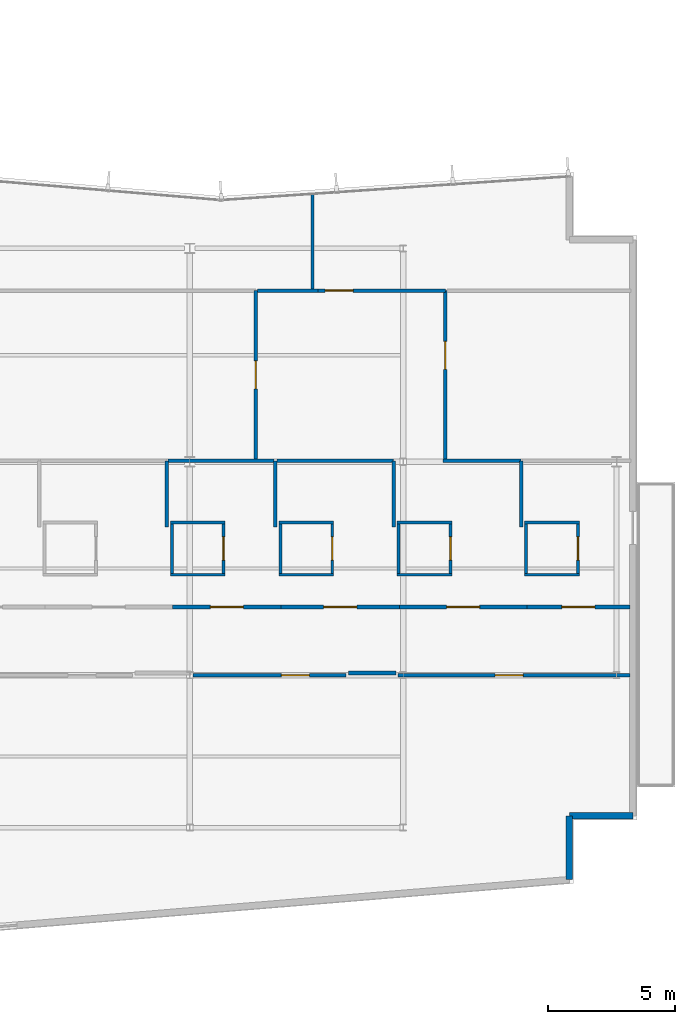
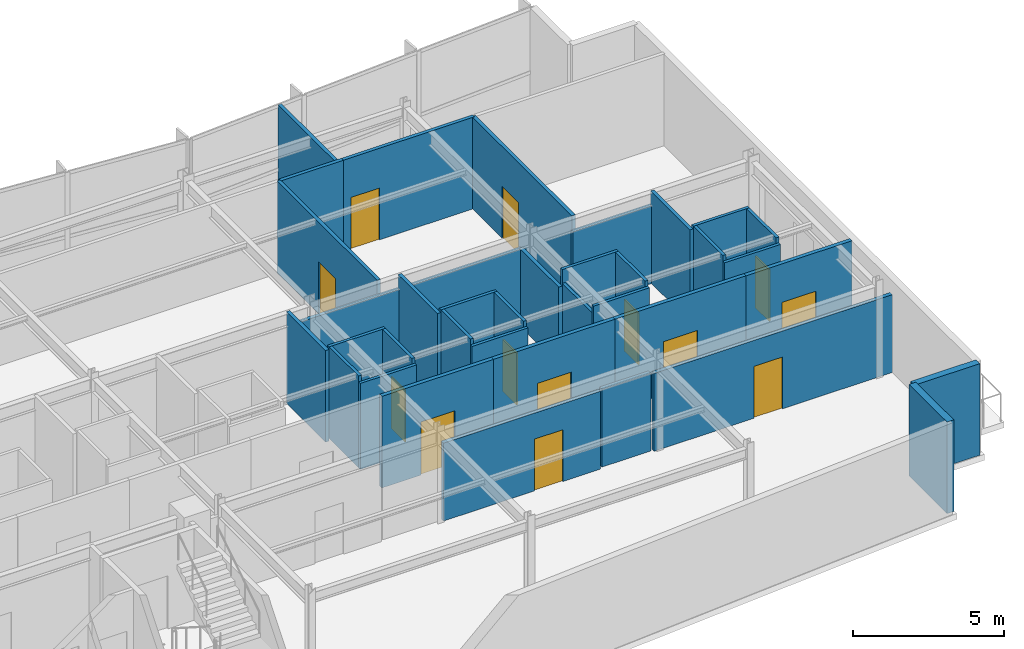
# One storey, part 11 of 15: 37 walls, 13 doors, 13 openings.
"""IFC4 building model written with IfcOpenShell, lengths in metres."""

from ifc_helpers import new_model, si_unit, direction, frame, frame_2d, origin, place, context, subcontext, project, spatial, rectangle, extrude, material, layer, layer_set, type_object, element, fill, save


model = new_model("IFC4")

# Units and contexts
model_context = context("Model", 3, precision=1e-05, world=origin(), true_north=direction((0.0, 1.0)))
body_context = subcontext(model_context, "Body", "Model", "MODEL_VIEW")
ifc_project = project(units=[si_unit("LENGTHUNIT", "METRE"), si_unit("AREAUNIT", "SQUARE_METRE"), si_unit("VOLUMEUNIT", "CUBIC_METRE"), si_unit("PLANEANGLEUNIT", "RADIAN"), si_unit("MASSUNIT", "GRAM", prefix="KILO")], contexts=[model_context])

# Site, building, storey
site_placement = place(None, origin())
site = spatial("IfcSite", under=ifc_project, at=site_placement, CompositionType="ELEMENT")
building_placement = place(site_placement, origin())
building = spatial("IfcBuilding", under=site, at=building_placement, Name="Varnakote Quay Hospital", CompositionType="ELEMENT")
storey_placement = place(building_placement, frame((0.0, 0.0, 196.050048828125)))
storey = spatial("IfcBuildingStorey", under=building, at=storey_placement, Name="L48", CompositionType="ELEMENT", Elevation=196.050048828125)

# Walls
ifc_material_1 = material(Name="Fire-rated acoustic gypsum stud wall", Category="gypsum")
ifc_layer_1 = layer(ifc_material_1, 0.159912109375)
ifc_layer_set_1 = layer_set([ifc_layer_1], Name="Fire-rated acoustic gypsum stud wall")
wall_type_1 = type_object("IfcWallType", Name="WL-COMP-160", PredefinedType="PARTITIONING", material=ifc_layer_set_1)
wall_1_placement = place(storey_placement, frame((39.83935546875, 12.080078125, 0.0), z_axis=(0.0, 0.0, 1.0), x_axis=(1.0, 0.0, 0.0)))
element("IfcWall", 1, at=wall_1_placement, inside=storey, type_object=wall_type_1, Name="L48 Corridor South Gap Wall", PredefinedType="PARTITIONING", context=body_context, shape_type="SweptSolid", body=[
    extrude(rectangle(XDim=1.871337890625, YDim=0.159912109375, at=frame_2d((0.935546875, 0.0))), origin(), (0.0, 0.0, 1.0), 3.15185546875),
])
ifc_material_2 = material(Name="Moisture-resistant bathroom partition", Category="gypsum")
ifc_layer_2 = layer(ifc_material_2, 0.114990234375)
ifc_layer_set_2 = layer_set([ifc_layer_2], Name="Moisture-resistant bathroom partition")
wall_type_2 = type_object("IfcWallType", Name="WL-ENS-115", PredefinedType="PARTITIONING", material=ifc_layer_set_2)
wall_2_placement = place(storey_placement, frame((32.8349609375, 15.952392578125, 0.0), z_axis=(0.0, 0.0, 1.0), x_axis=(1.0, 0.0, 0.0)))
element("IfcWall", 2, at=wall_2_placement, inside=storey, type_object=wall_type_2, Name="L48 Inpatient En-Suite Bathroom 05 S Wall", PredefinedType="PARTITIONING", context=body_context, shape_type="SweptSolid", body=[
    extrude(rectangle(XDim=2.150146484375, YDim=0.114990234375, at=frame_2d((1.0751953125, 0.0))), origin(), (0.0, 0.0, 1.0), 3.47802734375),
])
wall_3_placement = place(storey_placement, frame((32.8349609375, 18.017578125, 0.0), z_axis=(0.0, 0.0, 1.0), x_axis=(1.0, 0.0, 0.0)))
element("IfcWall", 3, at=wall_3_placement, inside=storey, type_object=wall_type_2, Name="L48 Inpatient En-Suite Bathroom 05 N Wall", PredefinedType="PARTITIONING", context=body_context, shape_type="SweptSolid", body=[
    extrude(rectangle(XDim=2.150146484375, YDim=0.114990234375, at=frame_2d((1.0751953125, 0.0))), origin(), (0.0, 0.0, 1.0), 3.7099609375),
])
wall_4_placement = place(storey_placement, frame((32.892578125, 16.010009765625, 0.0), z_axis=(0.0, 0.0, 1.0), x_axis=(0.0, 1.0, 0.0)))
element("IfcWall", 4, at=wall_4_placement, inside=storey, type_object=wall_type_2, Name="L48 Inpatient En-Suite Bathroom 05 W Wall", PredefinedType="PARTITIONING", context=body_context, shape_type="SweptSolid", body=[
    extrude(rectangle(XDim=1.949951171875, YDim=0.114990234375, at=frame_2d((0.97509765625, 0.0))), origin(), (0.0, 0.0, 1.0), 3.7099609375),
])

# Wall, opening, door
wall_5_placement = place(storey_placement, frame((34.927490234375, 16.010009765625, 0.0), z_axis=(0.0, 0.0, 1.0), x_axis=(0.0, 1.0, 0.0)))
wall_5 = element("IfcWall", 5, at=wall_5_placement, inside=storey, type_object=wall_type_2, Name="L48 Inpatient En-Suite Bathroom 05 E Wall", PredefinedType="PARTITIONING", context=body_context, shape_type="SweptSolid", body=[
    extrude(rectangle(XDim=1.949951171875, YDim=0.114990234375, at=frame_2d((0.97509765625, 0.0))), origin(), (0.0, 0.0, 1.0), 3.7099609375),
])
opening_1_placement = place(wall_5_placement, frame((0.514892578125, 0.0, 0.0)))
opening_1 = element("IfcOpeningElement", 6, at=opening_1_placement, cuts=wall_5, Name="Opening D-L48-ENS05", PredefinedType="OPENING", context=body_context, shape_type="SweptSolid", body=[
    extrude(rectangle(XDim=0.919921875, YDim=2.10009765625, at=frame_2d((0.4599609375, 1.050048828125))), frame((0.0, 0.0673828125, 0.0), z_axis=(0.0, -1.0, 0.0), x_axis=(1.0, 0.0, 0.0)), (0.0, 0.0, 1.0), 0.135009765625),
])
ifc_material_3 = material(Name="Moisture-sealed en-suite bathroom door")
door_type_1 = type_object("IfcDoorType", Name="DR-ENS-920x2100", OperationType="NOTDEFINED", PredefinedType="DOOR", material=ifc_material_3)
door_1_placement = place(opening_1_placement, origin())
door_1 = element("IfcDoor", 7, at=door_1_placement, inside=storey, type_object=door_type_1, Name="L48 Inpatient En-Suite Bathroom 05 Door", OperationType="SINGLE_SWING_RIGHT", OverallHeight=2.10009765625, OverallWidth=0.919921875, PredefinedType="DOOR", context=body_context, shape_type="SweptSolid", body=[
    extrude(rectangle(XDim=0.919921875, YDim=2.10009765625, at=frame_2d((0.4599609375, 1.050048828125))), frame((0.0, 0.02490234375, 0.0), z_axis=(0.0, -1.0, 0.0), x_axis=(1.0, 0.0, 0.0)), (0.0, 0.0, 1.0), 0.050048828125),
])
fill(opening_1, door_1)

# Walls
wall_6_placement = place(storey_placement, frame((37.114990234375, 15.952392578125, 0.0), z_axis=(0.0, 0.0, 1.0), x_axis=(1.0, 0.0, 0.0)))
element("IfcWall", 8, at=wall_6_placement, inside=storey, type_object=wall_type_2, Name="L48 Inpatient En-Suite Bathroom 06 S Wall", PredefinedType="PARTITIONING", context=body_context, shape_type="SweptSolid", body=[
    extrude(rectangle(XDim=2.14990234375, YDim=0.114990234375, at=frame_2d((1.074951171875, 0.0))), origin(), (0.0, 0.0, 1.0), 3.47802734375),
])
wall_7_placement = place(storey_placement, frame((37.114990234375, 18.017578125, 0.0), z_axis=(0.0, 0.0, 1.0), x_axis=(1.0, 0.0, 0.0)))
element("IfcWall", 9, at=wall_7_placement, inside=storey, type_object=wall_type_2, Name="L48 Inpatient En-Suite Bathroom 06 N Wall", PredefinedType="PARTITIONING", context=body_context, shape_type="SweptSolid", body=[
    extrude(rectangle(XDim=2.14990234375, YDim=0.114990234375, at=frame_2d((1.074951171875, 0.0))), origin(), (0.0, 0.0, 1.0), 3.7099609375),
])
wall_8_placement = place(storey_placement, frame((37.172607421875, 16.010009765625, 0.0), z_axis=(0.0, 0.0, 1.0), x_axis=(0.0, 1.0, 0.0)))
element("IfcWall", 10, at=wall_8_placement, inside=storey, type_object=wall_type_2, Name="L48 Inpatient En-Suite Bathroom 06 W Wall", PredefinedType="PARTITIONING", context=body_context, shape_type="SweptSolid", body=[
    extrude(rectangle(XDim=1.949951171875, YDim=0.114990234375, at=frame_2d((0.97509765625, 0.0))), origin(), (0.0, 0.0, 1.0), 3.7099609375),
])

# Wall, opening, door
wall_9_placement = place(storey_placement, frame((39.20751953125, 16.010009765625, 0.0), z_axis=(0.0, 0.0, 1.0), x_axis=(0.0, 1.0, 0.0)))
wall_9 = element("IfcWall", 11, at=wall_9_placement, inside=storey, type_object=wall_type_2, Name="L48 Inpatient En-Suite Bathroom 06 E Wall", PredefinedType="PARTITIONING", context=body_context, shape_type="SweptSolid", body=[
    extrude(rectangle(XDim=1.949951171875, YDim=0.114990234375, at=frame_2d((0.97509765625, 0.0))), origin(), (0.0, 0.0, 1.0), 3.7099609375),
])
opening_2_placement = place(wall_9_placement, frame((0.514892578125, 0.0, 0.0)))
opening_2 = element("IfcOpeningElement", 12, at=opening_2_placement, cuts=wall_9, Name="Opening D-L48-ENS06", PredefinedType="OPENING", context=body_context, shape_type="SweptSolid", body=[
    extrude(rectangle(XDim=0.919921875, YDim=2.10009765625, at=frame_2d((0.4599609375, 1.050048828125))), frame((0.0, 0.0673828125, 0.0), z_axis=(0.0, -1.0, 0.0), x_axis=(1.0, 0.0, 0.0)), (0.0, 0.0, 1.0), 0.135009765625),
])
door_2_placement = place(opening_2_placement, origin())
door_2 = element("IfcDoor", 13, at=door_2_placement, inside=storey, type_object=door_type_1, Name="L48 Inpatient En-Suite Bathroom 06 Door", OperationType="SINGLE_SWING_LEFT", OverallHeight=2.10009765625, OverallWidth=0.919921875, PredefinedType="DOOR", context=body_context, shape_type="SweptSolid", body=[
    extrude(rectangle(XDim=0.919921875, YDim=2.10009765625, at=frame_2d((0.4599609375, 1.050048828125))), frame((0.0, 0.02490234375, 0.0), z_axis=(0.0, -1.0, 0.0), x_axis=(1.0, 0.0, 0.0)), (0.0, 0.0, 1.0), 0.050048828125),
])
fill(opening_2, door_2)

# Walls
wall_10_placement = place(storey_placement, frame((41.764892578125, 15.952392578125, 0.0), z_axis=(0.0, 0.0, 1.0), x_axis=(1.0, 0.0, 0.0)))
element("IfcWall", 14, at=wall_10_placement, inside=storey, type_object=wall_type_2, Name="L48 Inpatient En-Suite Bathroom 07 S Wall", PredefinedType="PARTITIONING", context=body_context, shape_type="SweptSolid", body=[
    extrude(rectangle(XDim=2.150146484375, YDim=0.114990234375, at=frame_2d((1.0751953125, 0.0))), origin(), (0.0, 0.0, 1.0), 3.47802734375),
])
wall_11_placement = place(storey_placement, frame((41.764892578125, 18.017578125, 0.0), z_axis=(0.0, 0.0, 1.0), x_axis=(1.0, 0.0, 0.0)))
element("IfcWall", 15, at=wall_11_placement, inside=storey, type_object=wall_type_2, Name="L48 Inpatient En-Suite Bathroom 07 N Wall", PredefinedType="PARTITIONING", context=body_context, shape_type="SweptSolid", body=[
    extrude(rectangle(XDim=2.150146484375, YDim=0.114990234375, at=frame_2d((1.0751953125, 0.0))), origin(), (0.0, 0.0, 1.0), 3.7099609375),
])
wall_12_placement = place(storey_placement, frame((41.822509765625, 16.010009765625, 0.0), z_axis=(0.0, 0.0, 1.0), x_axis=(0.0, 1.0, 0.0)))
element("IfcWall", 16, at=wall_12_placement, inside=storey, type_object=wall_type_2, Name="L48 Inpatient En-Suite Bathroom 07 W Wall", PredefinedType="PARTITIONING", context=body_context, shape_type="SweptSolid", body=[
    extrude(rectangle(XDim=1.949951171875, YDim=0.114990234375, at=frame_2d((0.97509765625, 0.0))), origin(), (0.0, 0.0, 1.0), 3.15185546875),
])

# Wall, opening, door
wall_13_placement = place(storey_placement, frame((43.857421875, 16.010009765625, 0.0), z_axis=(0.0, 0.0, 1.0), x_axis=(0.0, 1.0, 0.0)))
wall_13 = element("IfcWall", 17, at=wall_13_placement, inside=storey, type_object=wall_type_2, Name="L48 Inpatient En-Suite Bathroom 07 E Wall", PredefinedType="PARTITIONING", context=body_context, shape_type="SweptSolid", body=[
    extrude(rectangle(XDim=1.949951171875, YDim=0.114990234375, at=frame_2d((0.97509765625, 0.0))), origin(), (0.0, 0.0, 1.0), 3.7099609375),
])
opening_3_placement = place(wall_13_placement, frame((0.514892578125, 0.0, 0.0)))
opening_3 = element("IfcOpeningElement", 18, at=opening_3_placement, cuts=wall_13, Name="Opening D-L48-ENS07", PredefinedType="OPENING", context=body_context, shape_type="SweptSolid", body=[
    extrude(rectangle(XDim=0.919921875, YDim=2.10009765625, at=frame_2d((0.4599609375, 1.050048828125))), frame((0.0, 0.0673828125, 0.0), z_axis=(0.0, -1.0, 0.0), x_axis=(1.0, 0.0, 0.0)), (0.0, 0.0, 1.0), 0.135009765625),
])
door_3_placement = place(opening_3_placement, origin())
door_3 = element("IfcDoor", 19, at=door_3_placement, inside=storey, type_object=door_type_1, Name="L48 Inpatient En-Suite Bathroom 07 Door", OperationType="SINGLE_SWING_RIGHT", OverallHeight=2.10009765625, OverallWidth=0.919921875, PredefinedType="DOOR", context=body_context, shape_type="SweptSolid", body=[
    extrude(rectangle(XDim=0.919921875, YDim=2.10009765625, at=frame_2d((0.4599609375, 1.050048828125))), frame((0.0, 0.02490234375, 0.0), z_axis=(0.0, -1.0, 0.0), x_axis=(1.0, 0.0, 0.0)), (0.0, 0.0, 1.0), 0.050048828125),
])
fill(opening_3, door_3)

# Walls
wall_14_placement = place(storey_placement, frame((46.784912109375, 15.952392578125, 0.0), z_axis=(0.0, 0.0, 1.0), x_axis=(1.0, 0.0, 0.0)))
element("IfcWall", 20, at=wall_14_placement, inside=storey, type_object=wall_type_2, Name="L48 Inpatient En-Suite Bathroom 08 S Wall", PredefinedType="PARTITIONING", context=body_context, shape_type="SweptSolid", body=[
    extrude(rectangle(XDim=2.150146484375, YDim=0.114990234375, at=frame_2d((1.0751953125, 0.0))), origin(), (0.0, 0.0, 1.0), 3.47802734375),
])
wall_15_placement = place(storey_placement, frame((46.784912109375, 18.017578125, 0.0), z_axis=(0.0, 0.0, 1.0), x_axis=(1.0, 0.0, 0.0)))
element("IfcWall", 21, at=wall_15_placement, inside=storey, type_object=wall_type_2, Name="L48 Inpatient En-Suite Bathroom 08 N Wall", PredefinedType="PARTITIONING", context=body_context, shape_type="SweptSolid", body=[
    extrude(rectangle(XDim=2.150146484375, YDim=0.114990234375, at=frame_2d((1.0751953125, 0.0))), origin(), (0.0, 0.0, 1.0), 3.7099609375),
])
wall_16_placement = place(storey_placement, frame((46.842529296875, 16.010009765625, 0.0), z_axis=(0.0, 0.0, 1.0), x_axis=(0.0, 1.0, 0.0)))
element("IfcWall", 22, at=wall_16_placement, inside=storey, type_object=wall_type_2, Name="L48 Inpatient En-Suite Bathroom 08 W Wall", PredefinedType="PARTITIONING", context=body_context, shape_type="SweptSolid", body=[
    extrude(rectangle(XDim=1.949951171875, YDim=0.114990234375, at=frame_2d((0.97509765625, 0.0))), origin(), (0.0, 0.0, 1.0), 3.7099609375),
])

# Wall, opening, door
wall_17_placement = place(storey_placement, frame((48.87744140625, 16.010009765625, 0.0), z_axis=(0.0, 0.0, 1.0), x_axis=(0.0, 1.0, 0.0)))
wall_17 = element("IfcWall", 23, at=wall_17_placement, inside=storey, type_object=wall_type_2, Name="L48 Inpatient En-Suite Bathroom 08 E Wall", PredefinedType="PARTITIONING", context=body_context, shape_type="SweptSolid", body=[
    extrude(rectangle(XDim=1.949951171875, YDim=0.114990234375, at=frame_2d((0.97509765625, 0.0))), origin(), (0.0, 0.0, 1.0), 3.7099609375),
])
opening_4_placement = place(wall_17_placement, frame((0.514892578125, 0.0, 0.0)))
opening_4 = element("IfcOpeningElement", 24, at=opening_4_placement, cuts=wall_17, Name="Opening D-L48-ENS08", PredefinedType="OPENING", context=body_context, shape_type="SweptSolid", body=[
    extrude(rectangle(XDim=0.919921875, YDim=2.10009765625, at=frame_2d((0.4599609375, 1.050048828125))), frame((0.0, 0.0673828125, 0.0), z_axis=(0.0, -1.0, 0.0), x_axis=(1.0, 0.0, 0.0)), (0.0, 0.0, 1.0), 0.135009765625),
])
door_4_placement = place(opening_4_placement, origin())
door_4 = element("IfcDoor", 25, at=door_4_placement, inside=storey, type_object=door_type_1, Name="L48 Inpatient En-Suite Bathroom 08 Door", OperationType="SINGLE_SWING_LEFT", OverallHeight=2.10009765625, OverallWidth=0.919921875, PredefinedType="DOOR", context=body_context, shape_type="SweptSolid", body=[
    extrude(rectangle(XDim=0.919921875, YDim=2.10009765625, at=frame_2d((0.4599609375, 1.050048828125))), frame((0.0, 0.02490234375, 0.0), z_axis=(0.0, -1.0, 0.0), x_axis=(1.0, 0.0, 0.0)), (0.0, 0.0, 1.0), 0.050048828125),
])
fill(opening_4, door_4)

# Walls
ifc_material_4 = material(Name="Precast concrete N50 (f'c 50 MPa)", Category="concrete")
ifc_layer_3 = layer(ifc_material_4, 0.260009765625)
ifc_layer_set_3 = layer_set([ifc_layer_3], Name="Precast concrete N50 (f'c 50 MPa)")
wall_type_3 = type_object("IfcWallType", Name="WL-EXT-BRICK-260", PredefinedType="STANDARD", material=ifc_layer_set_3)
wall_18_placement = place(storey_placement, frame((48.5400390625, 3.947509765625, 0.0), z_axis=(0.0, 0.0, 1.0), x_axis=(0.0, 1.0, 0.0)))
element("IfcWall", 26, at=wall_18_placement, inside=storey, type_object=wall_type_3, Name="L48 Brick-Faced Precast Exterior Wall", PredefinedType="STANDARD", context=body_context, shape_type="SweptSolid", body=[
    extrude(rectangle(XDim=2.512451171875, YDim=0.260009765625, at=frame_2d((1.25634765625, 0.0))), origin(), (0.0, 0.0, 1.0), 3.7099609375),
])
wall_19_placement = place(storey_placement, frame((48.5400390625, 6.4599609375, 0.0), z_axis=(0.0, 0.0, 1.0), x_axis=(1.0, 0.0, 0.0)))
element("IfcWall", 27, at=wall_19_placement, inside=storey, type_object=wall_type_3, Name="L48 Brick-Faced Precast Exterior Wall", PredefinedType="STANDARD", context=body_context, shape_type="SweptSolid", body=[
    extrude(rectangle(XDim=2.5, YDim=0.260009765625, at=frame_2d((1.25, 0.0))), origin(), (0.0, 0.0, 1.0), 3.7099609375),
])
ifc_material_5 = material(Name="Smoke-proof clinical partition", Category="gypsum")
ifc_layer_4 = layer(ifc_material_5, 0.135009765625)
ifc_layer_set_4 = layer_set([ifc_layer_4], Name="Smoke-proof clinical partition")
wall_type_4 = type_object("IfcWallType", Name="WL-SMOKE-135", PredefinedType="PARTITIONING", material=ifc_layer_set_4)
for number, where, z_axis, x_axis, name in (
    (28, (32.68994140625, 17.83251953125, 0.0), (0.0, 0.0, 1.0), (0.0, 1.0, 0.0), "L48 Clinical Interior Partition"),
    (29, (36.969970703125, 17.83251953125, 0.0), (0.0, 0.0, 1.0), (0.0, 1.0, 0.0), "L48 Clinical Interior Partition"),
):
    element("IfcWall", number, at=place(storey_placement, frame(where, z_axis=z_axis, x_axis=x_axis)), inside=storey, type_object=wall_type_4, Name=name, PredefinedType="PARTITIONING", context=body_context, shape_type="SweptSolid", body=[
        extrude(rectangle(XDim=2.607421875, YDim=0.135009765625, at=frame_2d((1.3037109375, 0.0))), origin(), (0.0, 0.0, 1.0), 3.7099609375),
    ])
wall_20_placement = place(storey_placement, frame((36.91259765625, 20.43994140625, 0.0), z_axis=(0.0, 0.0, 1.0), x_axis=(-1.0, 0.0, 0.0)))
element("IfcWall", 30, at=wall_20_placement, inside=storey, type_object=wall_type_4, Name="L48 Clinical Interior Partition", PredefinedType="PARTITIONING", context=body_context, shape_type="SweptSolid", body=[
    extrude(rectangle(XDim=4.1650390625, YDim=0.135009765625, at=frame_2d((2.08251953125, 0.0))), origin(), (0.0, 0.0, 1.0), 3.15185546875),
])
wall_21_placement = place(storey_placement, frame((41.6201171875, 17.83251953125, 0.0), z_axis=(0.0, 0.0, 1.0), x_axis=(0.0, 1.0, 0.0)))
element("IfcWall", 31, at=wall_21_placement, inside=storey, type_object=wall_type_4, Name="L48 Clinical Interior Partition", PredefinedType="PARTITIONING", context=body_context, shape_type="SweptSolid", body=[
    extrude(rectangle(XDim=2.607421875, YDim=0.135009765625, at=frame_2d((1.3037109375, 0.0))), origin(), (0.0, 0.0, 1.0), 3.15185546875),
])
wall_22_placement = place(storey_placement, frame((41.6201171875, 20.43994140625, 0.0), z_axis=(0.0, 0.0, 1.0), x_axis=(-1.0, 0.0, 0.0)))
element("IfcWall", 32, at=wall_22_placement, inside=storey, type_object=wall_type_4, Name="L48 Clinical Interior Partition", PredefinedType="PARTITIONING", context=body_context, shape_type="SweptSolid", body=[
    extrude(rectangle(XDim=4.592529296875, YDim=0.135009765625, at=frame_2d((2.29638671875, 0.0))), origin(), (0.0, 0.0, 1.0), 3.15185546875),
])
wall_23_placement = place(storey_placement, frame((46.639892578125, 17.83251953125, 0.0), z_axis=(0.0, 0.0, 1.0), x_axis=(0.0, 1.0, 0.0)))
element("IfcWall", 33, at=wall_23_placement, inside=storey, type_object=wall_type_4, Name="L48 Clinical Interior Partition", PredefinedType="PARTITIONING", context=body_context, shape_type="SweptSolid", body=[
    extrude(rectangle(XDim=2.607421875, YDim=0.135009765625, at=frame_2d((1.3037109375, 0.0))), origin(), (0.0, 0.0, 1.0), 3.7099609375),
])
wall_24_placement = place(storey_placement, frame((46.639892578125, 20.43994140625, 0.0), z_axis=(0.0, 0.0, 1.0), x_axis=(-1.0, 0.0, 0.0)))
element("IfcWall", 34, at=wall_24_placement, inside=storey, type_object=wall_type_4, Name="L48 Clinical Interior Partition", PredefinedType="PARTITIONING", context=body_context, shape_type="SweptSolid", body=[
    extrude(rectangle(XDim=3.0673828125, YDim=0.135009765625, at=frame_2d((1.53369140625, 0.0))), origin(), (0.0, 0.0, 1.0), 3.15185546875),
])

# Wall, opening, door
wall_25_placement = place(storey_placement, frame((36.199951171875, 20.49755859375, 0.0), z_axis=(0.0, 0.0, 1.0), x_axis=(0.0, 1.0, 0.0)))
wall_25 = element("IfcWall", 35, at=wall_25_placement, inside=storey, type_object=wall_type_4, Name="L48 Clinical Interior Partition", PredefinedType="PARTITIONING", context=body_context, shape_type="SweptSolid", body=[
    extrude(rectangle(XDim=6.642333984375, YDim=0.135009765625, at=frame_2d((3.3212890625, 0.0))), origin(), (0.0, 0.0, 1.0), 3.7099609375),
])
opening_5_placement = place(wall_25_placement, frame((2.771240234375, 0.0, 0.0)))
opening_5 = element("IfcOpeningElement", 36, at=opening_5_placement, cuts=wall_25, Name="Opening D-L48-DLNG", PredefinedType="OPENING", context=body_context, shape_type="SweptSolid", body=[
    extrude(rectangle(XDim=1.10009765625, YDim=2.10009765625, at=frame_2d((0.550048828125, 1.050048828125))), frame((0.0, 0.077392578125, 0.0), z_axis=(0.0, -1.0, 0.0), x_axis=(1.0, 0.0, 0.0)), (0.0, 0.0, 1.0), 0.155029296875),
])
ifc_material_6 = material(Name="Acoustic timber clinical consult door", Category="wood")
door_type_2 = type_object("IfcDoorType", Name="DR-CLIN-FD30S-1100x2100", OperationType="NOTDEFINED", PredefinedType="DOOR", material=ifc_material_6)
door_5_placement = place(opening_5_placement, origin())
door_5 = element("IfcDoor", 37, at=door_5_placement, inside=storey, type_object=door_type_2, Name="L48 Waterfront Patient & Family Dayroom Door", OperationType="SINGLE_SWING_RIGHT", OverallHeight=2.10009765625, OverallWidth=1.10009765625, PredefinedType="DOOR", context=body_context, shape_type="SweptSolid", body=[
    extrude(rectangle(XDim=1.10009765625, YDim=2.10009765625, at=frame_2d((0.550048828125, 1.050048828125))), frame((0.0, 0.02490234375, 0.0), z_axis=(0.0, -1.0, 0.0), x_axis=(1.0, 0.0, 0.0)), (0.0, 0.0, 1.0), 0.050048828125),
])
fill(opening_5, door_5)

wall_26_placement = place(storey_placement, frame((43.659912109375, 20.49755859375, 0.0), z_axis=(0.0, 0.0, 1.0), x_axis=(0.0, 1.0, 0.0)))
wall_26 = element("IfcWall", 38, at=wall_26_placement, inside=storey, type_object=wall_type_4, Name="L48 Clinical Interior Partition", PredefinedType="PARTITIONING", context=body_context, shape_type="SweptSolid", body=[
    extrude(rectangle(XDim=6.642333984375, YDim=0.135009765625, at=frame_2d((3.3212890625, 0.0))), origin(), (0.0, 0.0, 1.0), 3.7099609375),
])
opening_6_placement = place(wall_26_placement, frame((3.54248046875, 0.0, 0.0)))
opening_6 = element("IfcOpeningElement", 39, at=opening_6_placement, cuts=wall_26, Name="Opening D-L48-WPNT", PredefinedType="OPENING", context=body_context, shape_type="SweptSolid", body=[
    extrude(rectangle(XDim=1.10009765625, YDim=2.10009765625, at=frame_2d((0.550048828125, 1.050048828125))), frame((0.0, 0.077392578125, 0.0), z_axis=(0.0, -1.0, 0.0), x_axis=(1.0, 0.0, 0.0)), (0.0, 0.0, 1.0), 0.155029296875),
])
door_6_placement = place(opening_6_placement, origin())
door_6 = element("IfcDoor", 40, at=door_6_placement, inside=storey, type_object=door_type_2, Name="L48 Ward Clinical Nutrition Pantry Door", OperationType="SINGLE_SWING_RIGHT", OverallHeight=2.10009765625, OverallWidth=1.10009765625, PredefinedType="DOOR", context=body_context, shape_type="SweptSolid", body=[
    extrude(rectangle(XDim=1.10009765625, YDim=2.10009765625, at=frame_2d((0.550048828125, 1.050048828125))), frame((0.0, 0.02490234375, 0.0), z_axis=(0.0, -1.0, 0.0), x_axis=(1.0, 0.0, 0.0)), (0.0, 0.0, 1.0), 0.050048828125),
])
fill(opening_6, door_6)

# Wall
wall_27_placement = place(storey_placement, frame((38.637451171875, 27.139892578125, 0.0), z_axis=(0.0, 0.0, 1.0), x_axis=(-1.0, 0.0, 0.0)))
element("IfcWall", 41, at=wall_27_placement, inside=storey, type_object=wall_type_4, Name="L48 Clinical Interior Partition", PredefinedType="PARTITIONING", context=body_context, shape_type="SweptSolid", body=[
    extrude(rectangle(XDim=2.3798828125, YDim=0.135009765625, at=frame_2d((1.18994140625, 0.0))), origin(), (0.0, 0.0, 1.0), 3.7099609375),
])

# Wall, opening, door
wall_28_placement = place(storey_placement, frame((43.659912109375, 27.139892578125, 0.0), z_axis=(0.0, 0.0, 1.0), x_axis=(-1.0, 0.0, 0.0)))
wall_28 = element("IfcWall", 42, at=wall_28_placement, inside=storey, type_object=wall_type_4, Name="L48 Clinical Interior Partition", PredefinedType="PARTITIONING", context=body_context, shape_type="SweptSolid", body=[
    extrude(rectangle(XDim=5.0205078125, YDim=0.135009765625, at=frame_2d((2.51025390625, 0.0))), origin(), (0.0, 0.0, 1.0), 3.7099609375),
])
opening_7_placement = place(wall_28_placement, frame((3.632568359375, 0.0, 0.0)))
opening_7 = element("IfcOpeningElement", 43, at=opening_7_placement, cuts=wall_28, Name="Opening D-L48-MD07", PredefinedType="OPENING", context=body_context, shape_type="SweptSolid", body=[
    extrude(rectangle(XDim=1.10009765625, YDim=2.10009765625, at=frame_2d((0.550048828125, 1.050048828125))), frame((0.0, 0.077392578125, 0.0), z_axis=(0.0, -1.0, 0.0), x_axis=(1.0, 0.0, 0.0)), (0.0, 0.0, 1.0), 0.155029296875),
])
door_7_placement = place(opening_7_placement, origin())
door_7 = element("IfcDoor", 44, at=door_7_placement, inside=storey, type_object=door_type_2, Name="L48 Heart Team Clinical Consultation Suite Door", OperationType="SINGLE_SWING_LEFT", OverallHeight=2.10009765625, OverallWidth=1.10009765625, PredefinedType="DOOR", context=body_context, shape_type="SweptSolid", body=[
    extrude(rectangle(XDim=1.10009765625, YDim=2.10009765625, at=frame_2d((0.550048828125, 1.050048828125))), frame((0.0, 0.02490234375, 0.0), z_axis=(0.0, -1.0, 0.0), x_axis=(1.0, 0.0, 0.0)), (0.0, 0.0, 1.0), 0.050048828125),
])
fill(opening_7, door_7)

# Wall
wall_29_placement = place(storey_placement, frame((38.429931640625, 27.197509765625, 0.0), z_axis=(0.0, 0.0, 1.0), x_axis=(0.0, 1.0, 0.0)))
element("IfcWall", 45, at=wall_29_placement, inside=storey, type_object=wall_type_4, Name="L48 Clinical Interior Partition", PredefinedType="PARTITIONING", context=body_context, shape_type="SweptSolid", body=[
    extrude(rectangle(XDim=3.743896484375, YDim=0.135009765625, at=frame_2d((1.8720703125, 0.0))), origin(), (0.0, 0.0, 1.0), 3.7099609375),
])

# Wall, opening, door
ifc_material_7 = material(Name="Fire-rated clinical gypsum partition", Category="gypsum")
ifc_layer_5 = layer(ifc_material_7, 0.14990234375)
ifc_layer_set_5 = layer_set([ifc_layer_5], Name="Fire-rated clinical gypsum partition")
wall_type_5 = type_object("IfcWallType", Name="WL-WARD-150", PredefinedType="PARTITIONING", material=ifc_layer_set_5)
wall_30_placement = place(storey_placement, frame((39.75, 12.0, 0.0), z_axis=(0.0, 0.0, 1.0), x_axis=(-1.0, 0.0, 0.0)))
wall_30 = element("IfcWall", 46, at=wall_30_placement, inside=storey, type_object=wall_type_5, Name="L48 Clinical Interior Partition", PredefinedType="PARTITIONING", context=body_context, shape_type="SweptSolid", body=[
    extrude(rectangle(XDim=6.02197265625, YDim=0.14990234375, at=frame_2d((3.010986328125, 0.0))), origin(), (0.0, 0.0, 1.0), 3.15185546875),
])
opening_8_placement = place(wall_30_placement, frame((1.443603515625, 0.0, 0.0)))
opening_8 = element("IfcOpeningElement", 47, at=opening_8_placement, cuts=wall_30, Name="Opening D-L48-RM1", PredefinedType="OPENING", context=body_context, shape_type="SweptSolid", body=[
    extrude(rectangle(XDim=1.10009765625, YDim=2.10009765625, at=frame_2d((0.550048828125, 1.050048828125))), frame((0.0, 0.0849609375, 0.0), z_axis=(0.0, -1.0, 0.0), x_axis=(1.0, 0.0, 0.0)), (0.0, 0.0, 1.0), 0.169921875),
])
door_8_placement = place(opening_8_placement, origin())
door_8 = element("IfcDoor", 48, at=door_8_placement, inside=storey, type_object=door_type_2, Name="L48 Cardiac Telemetry Treatment Suite Door", OperationType="SINGLE_SWING_LEFT", OverallHeight=2.10009765625, OverallWidth=1.10009765625, PredefinedType="DOOR", context=body_context, shape_type="SweptSolid", body=[
    extrude(rectangle(XDim=1.10009765625, YDim=2.10009765625, at=frame_2d((0.550048828125, 1.050048828125))), frame((0.0, 0.02490234375, 0.0), z_axis=(0.0, -1.0, 0.0), x_axis=(1.0, 0.0, 0.0)), (0.0, 0.0, 1.0), 0.050048828125),
])
fill(opening_8, door_8)

wall_31_placement = place(storey_placement, frame((50.919921875, 12.0, 0.0), z_axis=(0.0, 0.0, 1.0), x_axis=(-1.0, 0.0, 0.0)))
wall_31 = element("IfcWall", 49, at=wall_31_placement, inside=storey, type_object=wall_type_5, Name="L48 Clinical Interior Partition", PredefinedType="PARTITIONING", context=body_context, shape_type="SweptSolid", body=[
    extrude(rectangle(XDim=9.119873046875, YDim=0.14990234375, at=frame_2d((4.56005859375, 0.0))), origin(), (0.0, 0.0, 1.0), 3.15185546875),
])
opening_9_placement = place(wall_31_placement, frame((4.200439453125, 0.0, 0.0)))
opening_9 = element("IfcOpeningElement", 50, at=opening_9_placement, cuts=wall_31, Name="Opening D-L48-SE1", PredefinedType="OPENING", context=body_context, shape_type="SweptSolid", body=[
    extrude(rectangle(XDim=1.10009765625, YDim=2.10009765625, at=frame_2d((0.550048828125, 1.050048828125))), frame((0.0, 0.0849609375, 0.0), z_axis=(0.0, -1.0, 0.0), x_axis=(1.0, 0.0, 0.0)), (0.0, 0.0, 1.0), 0.169921875),
])
door_9_placement = place(opening_9_placement, origin())
door_9 = element("IfcDoor", 51, at=door_9_placement, inside=storey, type_object=door_type_2, Name="L48 Clinical Biomedical Engineering Office Door", OperationType="SINGLE_SWING_RIGHT", OverallHeight=2.10009765625, OverallWidth=1.10009765625, PredefinedType="DOOR", context=body_context, shape_type="SweptSolid", body=[
    extrude(rectangle(XDim=1.10009765625, YDim=2.10009765625, at=frame_2d((0.550048828125, 1.050048828125))), frame((0.0, 0.02490234375, 0.0), z_axis=(0.0, -1.0, 0.0), x_axis=(1.0, 0.0, 0.0)), (0.0, 0.0, 1.0), 0.050048828125),
])
fill(opening_9, door_9)

wall_32_placement = place(storey_placement, frame((37.196044921875, 14.679931640625, 0.0), z_axis=(0.0, 0.0, 1.0), x_axis=(-1.0, 0.0, 0.0)))
wall_32 = element("IfcWall", 52, at=wall_32_placement, inside=storey, type_object=wall_type_5, Name="L48 Clinical Interior Partition", PredefinedType="PARTITIONING", context=body_context, shape_type="SweptSolid", body=[
    extrude(rectangle(XDim=4.278076171875, YDim=0.14990234375, at=frame_2d((2.13916015625, 0.0))), origin(), (0.0, 0.0, 1.0), 3.7099609375),
])
opening_10_placement = place(wall_32_placement, frame((1.489013671875, 0.0, 0.0)))
opening_10 = element("IfcOpeningElement", 53, at=opening_10_placement, cuts=wall_32, Name="Opening D-L48-BR05", PredefinedType="OPENING", context=body_context, shape_type="SweptSolid", body=[
    extrude(rectangle(XDim=1.300048828125, YDim=2.14990234375, at=frame_2d((0.64990234375, 1.074951171875))), frame((0.0, 0.0849609375, 0.0), z_axis=(0.0, -1.0, 0.0), x_axis=(1.0, 0.0, 0.0)), (0.0, 0.0, 1.0), 0.169921875),
])
ifc_material_8 = material(Name="Solid-core timber clinical bed door", Category="wood")
door_type_3 = type_object("IfcDoorType", Name="DR-WARD-FD30S-1300x2150", OperationType="NOTDEFINED", PredefinedType="DOOR", material=ifc_material_8)
door_10_placement = place(opening_10_placement, origin())
door_10 = element("IfcDoor", 54, at=door_10_placement, inside=storey, type_object=door_type_3, Name="L48 Resident Care Bedroom 05 Door", OperationType="SINGLE_SWING_LEFT", OverallHeight=2.14990234375, OverallWidth=1.300048828125, PredefinedType="DOOR", context=body_context, shape_type="SweptSolid", body=[
    extrude(rectangle(XDim=1.300048828125, YDim=2.14990234375, at=frame_2d((0.64990234375, 1.074951171875))), frame((0.0, 0.02490234375, 0.0), z_axis=(0.0, -1.0, 0.0), x_axis=(1.0, 0.0, 0.0)), (0.0, 0.0, 1.0), 0.050048828125),
])
fill(opening_10, door_10)

wall_33_placement = place(storey_placement, frame((41.845947265625, 14.679931640625, 0.0), z_axis=(0.0, 0.0, 1.0), x_axis=(-1.0, 0.0, 0.0)))
wall_33 = element("IfcWall", 55, at=wall_33_placement, inside=storey, type_object=wall_type_5, Name="L48 Clinical Interior Partition", PredefinedType="PARTITIONING", context=body_context, shape_type="SweptSolid", body=[
    extrude(rectangle(XDim=4.64794921875, YDim=0.14990234375, at=frame_2d((2.323974609375, 0.0))), origin(), (0.0, 0.0, 1.0), 3.7099609375),
])
opening_11_placement = place(wall_33_placement, frame((1.674072265625, 0.0, 0.0)))
opening_11 = element("IfcOpeningElement", 56, at=opening_11_placement, cuts=wall_33, Name="Opening D-L48-BR06", PredefinedType="OPENING", context=body_context, shape_type="SweptSolid", body=[
    extrude(rectangle(XDim=1.300048828125, YDim=2.14990234375, at=frame_2d((0.64990234375, 1.074951171875))), frame((0.0, 0.0849609375, 0.0), z_axis=(0.0, -1.0, 0.0), x_axis=(1.0, 0.0, 0.0)), (0.0, 0.0, 1.0), 0.169921875),
])
door_11_placement = place(opening_11_placement, origin())
door_11 = element("IfcDoor", 57, at=door_11_placement, inside=storey, type_object=door_type_3, Name="L48 Resident Care Bedroom 06 Door", OperationType="SINGLE_SWING_RIGHT", OverallHeight=2.14990234375, OverallWidth=1.300048828125, PredefinedType="DOOR", context=body_context, shape_type="SweptSolid", body=[
    extrude(rectangle(XDim=1.300048828125, YDim=2.14990234375, at=frame_2d((0.64990234375, 1.074951171875))), frame((0.0, 0.02490234375, 0.0), z_axis=(0.0, -1.0, 0.0), x_axis=(1.0, 0.0, 0.0)), (0.0, 0.0, 1.0), 0.050048828125),
])
fill(opening_11, door_11)

wall_34_placement = place(storey_placement, frame((46.865966796875, 14.679931640625, 0.0), z_axis=(0.0, 0.0, 1.0), x_axis=(-1.0, 0.0, 0.0)))
wall_34 = element("IfcWall", 58, at=wall_34_placement, inside=storey, type_object=wall_type_5, Name="L48 Clinical Interior Partition", PredefinedType="PARTITIONING", context=body_context, shape_type="SweptSolid", body=[
    extrude(rectangle(XDim=5.01806640625, YDim=0.14990234375, at=frame_2d((2.509033203125, 0.0))), origin(), (0.0, 0.0, 1.0), 3.7099609375),
])
opening_12_placement = place(wall_34_placement, frame((1.85888671875, 0.0, 0.0)))
opening_12 = element("IfcOpeningElement", 59, at=opening_12_placement, cuts=wall_34, Name="Opening D-L48-BR07", PredefinedType="OPENING", context=body_context, shape_type="SweptSolid", body=[
    extrude(rectangle(XDim=1.300048828125, YDim=2.14990234375, at=frame_2d((0.64990234375, 1.074951171875))), frame((0.0, 0.0849609375, 0.0), z_axis=(0.0, -1.0, 0.0), x_axis=(1.0, 0.0, 0.0)), (0.0, 0.0, 1.0), 0.169921875),
])
door_12_placement = place(opening_12_placement, origin())
door_12 = element("IfcDoor", 60, at=door_12_placement, inside=storey, type_object=door_type_3, Name="L48 Resident Care Bedroom 07 Door", OperationType="SINGLE_SWING_LEFT", OverallHeight=2.14990234375, OverallWidth=1.300048828125, PredefinedType="DOOR", context=body_context, shape_type="SweptSolid", body=[
    extrude(rectangle(XDim=1.300048828125, YDim=2.14990234375, at=frame_2d((0.64990234375, 1.074951171875))), frame((0.0, 0.02490234375, 0.0), z_axis=(0.0, -1.0, 0.0), x_axis=(1.0, 0.0, 0.0)), (0.0, 0.0, 1.0), 0.050048828125),
])
fill(opening_12, door_12)

wall_35_placement = place(storey_placement, frame((50.919921875, 14.679931640625, 0.0), z_axis=(0.0, 0.0, 1.0), x_axis=(-1.0, 0.0, 0.0)))
wall_35 = element("IfcWall", 61, at=wall_35_placement, inside=storey, type_object=wall_type_5, Name="L48 Clinical Interior Partition", PredefinedType="PARTITIONING", context=body_context, shape_type="SweptSolid", body=[
    extrude(rectangle(XDim=4.052001953125, YDim=0.14990234375, at=frame_2d((2.02587890625, 0.0))), origin(), (0.0, 0.0, 1.0), 3.7099609375),
])
opening_13_placement = place(wall_35_placement, frame((1.3759765625, 0.0, 0.0)))
opening_13 = element("IfcOpeningElement", 62, at=opening_13_placement, cuts=wall_35, Name="Opening D-L48-BR08", PredefinedType="OPENING", context=body_context, shape_type="SweptSolid", body=[
    extrude(rectangle(XDim=1.300048828125, YDim=2.14990234375, at=frame_2d((0.64990234375, 1.074951171875))), frame((0.0, 0.0849609375, 0.0), z_axis=(0.0, -1.0, 0.0), x_axis=(1.0, 0.0, 0.0)), (0.0, 0.0, 1.0), 0.169921875),
])
door_13_placement = place(opening_13_placement, origin())
door_13 = element("IfcDoor", 63, at=door_13_placement, inside=storey, type_object=door_type_3, Name="L48 Resident Care Bedroom 08 Door", OperationType="SINGLE_SWING_RIGHT", OverallHeight=2.14990234375, OverallWidth=1.300048828125, PredefinedType="DOOR", context=body_context, shape_type="SweptSolid", body=[
    extrude(rectangle(XDim=1.300048828125, YDim=2.14990234375, at=frame_2d((0.64990234375, 1.074951171875))), frame((0.0, 0.02490234375, 0.0), z_axis=(0.0, -1.0, 0.0), x_axis=(1.0, 0.0, 0.0)), (0.0, 0.0, 1.0), 0.050048828125),
])
fill(opening_13, door_13)

save(model, "model.ifc")
